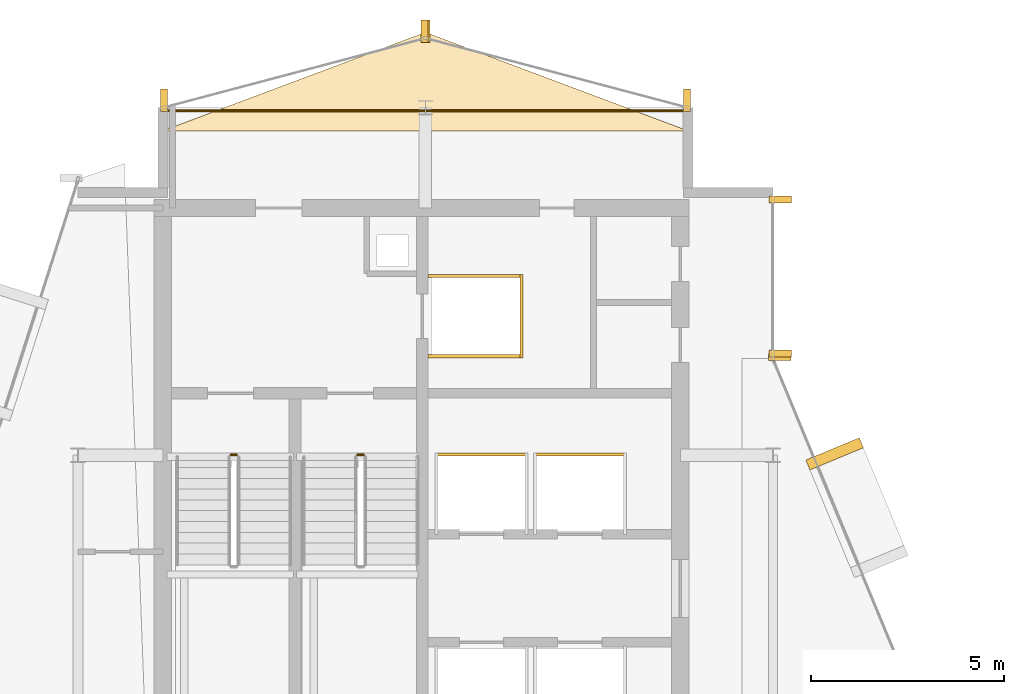
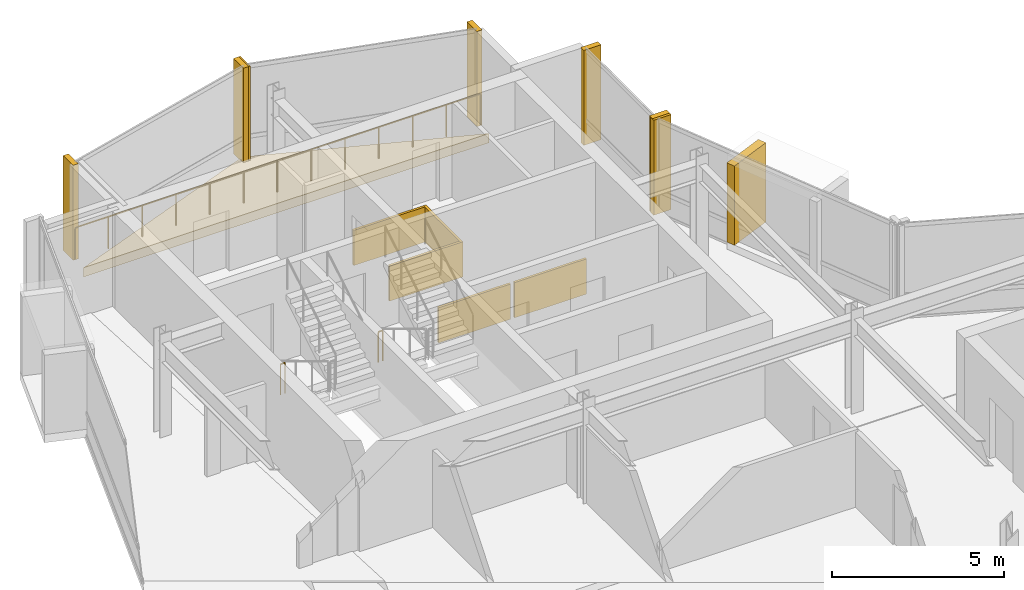
# One storey, part 19 of 19: 14 coverings, 3 railings.
"""IFC4 building model written with IfcOpenShell, lengths in metres."""

from ifc_helpers import new_model, si_unit, direction, frame, origin, origin_2d, place, context, subcontext, project, spatial, polyline, rectangle, circle, outline, extrude, material, layer, layer_set, type_object, element, save


model = new_model("IFC4")

# Units and contexts
model_context = context("Model", 3, precision=1e-05, world=origin(), true_north=direction((0.0, 1.0)))
body_context = subcontext(model_context, "Body", "Model", "MODEL_VIEW")
ifc_project = project(units=[si_unit("LENGTHUNIT", "METRE"), si_unit("AREAUNIT", "SQUARE_METRE"), si_unit("VOLUMEUNIT", "CUBIC_METRE"), si_unit("PLANEANGLEUNIT", "RADIAN"), si_unit("MASSUNIT", "GRAM", prefix="KILO")], contexts=[model_context])

# Site, building, storey
site_placement = place(None, origin())
site = spatial("IfcSite", under=ifc_project, at=site_placement, CompositionType="ELEMENT")
building_placement = place(site_placement, origin())
building = spatial("IfcBuilding", under=site, at=building_placement, Name="Solvaryn Broadcast Tower", CompositionType="ELEMENT")
storey_placement = place(building_placement, frame((0.0, 0.0, 281.5)))
storey = spatial("IfcBuildingStorey", under=building, at=storey_placement, Name="L71", CompositionType="ELEMENT", Elevation=281.5)

# Coverings
ifc_material_1 = material(Name="Fire-Rated Gypsum Shaftwall Liner", Category="concrete")
ifc_layer_1 = layer(ifc_material_1, 0.080078125)
ifc_layer_set_1 = layer_set([ifc_layer_1], Name="CV-SHAFT-LINER")
covering_type_1 = type_object("IfcCoveringType", Name="CV-SHAFT-LINER", PredefinedType="CLADDING", material=ifc_layer_set_1)
for number, where, z_axis, x_axis, name in (
    (1, (19.300048828125, 40.639892578125, 0.0), (0.0, 0.0, 1.0), (1.0, 0.0, 0.0), "L71 FL1 Hoistway Shaft Liner North"),
    (2, (19.300048828125, 38.56005859375, 0.0), (0.0, 0.0, 1.0), (1.0, 0.0, 0.0), "L71 FL1 Hoistway Shaft Liner South"),
):
    element("IfcCovering", number, at=place(storey_placement, frame(where, z_axis=z_axis, x_axis=x_axis)), inside=storey, type_object=covering_type_1, Name=name, PredefinedType="CLADDING", context=body_context, shape_type="SweptSolid", body=[
        extrude(rectangle(XDim=2.4599609375, YDim=0.080078125, at=origin_2d()), origin(), (0.0, 0.0, 1.0), 1.25),
    ])
covering_1_placement = place(storey_placement, frame((20.489990234375, 39.60009765625, 0.0), z_axis=(0.0, 0.0, 1.0), x_axis=(1.0, 0.0, 0.0)))
element("IfcCovering", 3, at=covering_1_placement, inside=storey, type_object=covering_type_1, Name="L71 FL1 Hoistway Shaft Liner East", PredefinedType="CLADDING", context=body_context, shape_type="SweptSolid", body=[
    extrude(rectangle(XDim=0.080078125, YDim=2.159912109375, at=origin_2d()), origin(), (0.0, 0.0, 1.0), 1.25),
])
for number, where, z_axis, x_axis, name in (
    (4, (19.449951171875, 36.014892578125, 0.0), (0.0, 0.0, 1.0), (1.0, 0.0, 0.0), "L71 PH3 Hoistway Shaft Liner North"),
    (5, (22.0, 36.014892578125, 0.0), (0.0, 0.0, 1.0), (1.0, 0.0, 0.0), "L71 PH4 Hoistway Shaft Liner North"),
):
    element("IfcCovering", number, at=place(storey_placement, frame(where, z_axis=z_axis, x_axis=x_axis)), inside=storey, type_object=covering_type_1, Name=name, PredefinedType="CLADDING", context=body_context, shape_type="SweptSolid", body=[
        extrude(rectangle(XDim=2.409912109375, YDim=0.080078125, at=origin_2d()), origin(), (0.0, 0.0, 1.0), 1.25),
    ])
ifc_material_2 = material(Name="Glazed Architectural Terracotta Rainscreen Cladding", Category="masonry")
ifc_layer_2 = layer(ifc_material_2, 0.280029296875)
ifc_layer_set_2 = layer_set([ifc_layer_2], Name="CV-TC-CLAD")
covering_type_2 = type_object("IfcCoveringType", Name="CV-TC-CLAD", PredefinedType="CLADDING", material=ifc_layer_set_2)
covering_2_placement = place(storey_placement, frame((28.59619140625, 36.031982421875, 0.280029296875), z_axis=(0.0, 0.0, 1.0), x_axis=(-0.382683432365, 0.923879532511, 0.0)))
element("IfcCovering", 6, at=covering_2_placement, inside=storey, type_object=covering_type_2, Name="L71 Projecting Stone Window Box Cheek 5-2", PredefinedType="CLADDING", context=body_context, shape_type="SweptSolid", body=[
    extrude(rectangle(XDim=0.280029296875, YDim=1.5, at=origin_2d()), origin(), (0.0, 0.0, 1.0), 2.81005859375),
])
ifc_material_3 = material(Name="Extruded Architectural Terracotta Fin", Category="masonry")
ifc_layer_3 = layer(ifc_material_3, 0.179931640625)
ifc_layer_set_3 = layer_set([ifc_layer_3], Name="CV-TC-FIN")
covering_type_3 = type_object("IfcCoveringType", Name="CV-TC-FIN", PredefinedType="USERDEFINED", material=ifc_layer_set_3)
for number, where, z_axis, x_axis, name in (
    (7, (27.1875, 42.6201171875, 0.0), (0.0, 0.0, 1.0), (1.0, 0.0, 0.0), "L71 Terracotta Vertical Fin FIN-L71-IV-M00"),
    (8, (27.1875, 38.6298828125, 0.0), (0.0, 0.0, 1.0), (1.0, 0.0, 0.0), "L71 Terracotta Vertical Fin FIN-L71-IV-M01"),
    (9, (27.177978515625, 38.541259765625, 0.0), (0.0, 0.0, 1.0), (1.0, 0.0, 0.0), "L71 Terracotta Vertical Fin FIN-L71-CN2-M01"),
):
    element("IfcCovering", number, at=place(storey_placement, frame(where, z_axis=z_axis, x_axis=x_axis)), inside=storey, type_object=covering_type_3, Name=name, ObjectType="FIN", PredefinedType="USERDEFINED", context=body_context, shape_type="SweptSolid", body=[
        extrude(rectangle(XDim=0.580078125, YDim=0.179931640625, at=origin_2d()), origin(), (0.0, 0.0, 1.0), 3.3701171875),
    ])
for number, where, z_axis, x_axis, name in (
    (10, (24.77099609375, 45.1953125, 0.0), (0.0, 0.0, 1.0), (1.0, 0.0, 0.0), "L71 Terracotta Vertical Fin FIN-L71-NT1-M00"),
    (11, (18.029052734375, 46.979736328125, 0.0), (0.0, 0.0, 1.0), (1.0, 0.0, 0.0), "L71 Terracotta Vertical Fin FIN-L71-NT1-M01"),
    (12, (17.970947265625, 46.979736328125, 0.0), (0.0, 0.0, 1.0), (1.0, 0.0, 0.0), "L71 Terracotta Vertical Fin FIN-L71-NT2-M00"),
    (13, (11.22900390625, 45.1953125, 0.0), (0.0, 0.0, 1.0), (1.0, 0.0, 0.0), "L71 Terracotta Vertical Fin FIN-L71-NT2-M01"),
):
    element("IfcCovering", number, at=place(storey_placement, frame(where, z_axis=z_axis, x_axis=x_axis)), inside=storey, type_object=covering_type_3, Name=name, ObjectType="FIN", PredefinedType="USERDEFINED", context=body_context, shape_type="SweptSolid", body=[
        extrude(rectangle(XDim=0.179931640625, YDim=0.580078125, at=origin_2d()), origin(), (0.0, 0.0, 1.0), 3.3701171875),
    ])
ifc_material_4 = material(Name="Sculpted Architectural Terracotta Wave Fascia", Category="masonry")
ifc_layer_4 = layer(ifc_material_4, 0.340087890625)
ifc_layer_set_4 = layer_set([ifc_layer_4], Name="CV-WAVE-TRAY")
covering_type_4 = type_object("IfcCoveringType", Name="CV-WAVE-TRAY", PredefinedType="CLADDING", material=ifc_layer_set_4)
covering_3_placement = place(storey_placement, frame((0.0, 0.0, -0.300048828125)))
element("IfcCovering", 14, at=covering_3_placement, inside=storey, type_object=covering_type_4, Name="L71 North Curved Wing Deck", PredefinedType="CLADDING", context=body_context, shape_type="SweptSolid", body=[
    extrude(outline(polyline([(11.199951171875, 44.39990234375), (24.800048828125, 44.39990234375), (18.0, 46.949951171875), (11.199951171875, 44.39990234375)])), origin(), (0.0, 0.0, 1.0), 0.330078125),
])

# Railings
ifc_material_5 = material(Name="Painted Steel Stair Well Guard", Category="steel")
railing_type_1 = type_object("IfcRailingType", Name="RL-STAIR-GUARD", PredefinedType="BALUSTRADE", material=ifc_material_5)
railing_1_placement = place(storey_placement, frame((12.9599609375, 36.010009765625, 0.0)))
element("IfcRailing", 15, at=railing_1_placement, inside=storey, type_object=railing_type_1, Name="L71 ST1 stair guard 4", PredefinedType="BALUSTRADE", context=body_context, shape_type="SweptSolid", body=[
    extrude(circle(Radius=0.02392578125, at=origin_2d()), frame((0.0, 0.0, 1.076171875), z_axis=(1.0, 0.0, 0.0), x_axis=(0.0, 1.0, 0.0)), (0.0, 0.0, 1.0), 0.150146484375),
    extrude(circle(Radius=0.02099609375, at=origin_2d()), origin(), (0.0, 0.0, 1.0), 1.052001953125),
    extrude(circle(Radius=0.02099609375, at=origin_2d()), frame((0.150146484375, 0.0, 0.0)), (0.0, 0.0, 1.0), 1.052001953125),
])
railing_2_placement = place(storey_placement, frame((16.239990234375, 36.010009765625, 0.0)))
element("IfcRailing", 16, at=railing_2_placement, inside=storey, type_object=railing_type_1, Name="L71 ST2 stair guard 4", PredefinedType="BALUSTRADE", context=body_context, shape_type="SweptSolid", body=[
    extrude(circle(Radius=0.02392578125, at=origin_2d()), frame((0.0, 0.0, 1.076171875), z_axis=(1.0, 0.0, 0.0), x_axis=(0.0, 1.0, 0.0)), (0.0, 0.0, 1.0), 0.14990234375),
    extrude(circle(Radius=0.02099609375, at=origin_2d()), origin(), (0.0, 0.0, 1.0), 1.052001953125),
    extrude(circle(Radius=0.02099609375, at=origin_2d()), frame((0.14990234375, 0.0, 0.0)), (0.0, 0.0, 1.0), 1.052001953125),
])
ifc_material_6 = material(Name="Stainless Steel and Laminated Glass Guard", Category="steel")
railing_type_2 = type_object("IfcRailingType", Name="RL-TER-1150", PredefinedType="BALUSTRADE", material=ifc_material_6)
railing_3_placement = place(storey_placement, frame((11.199951171875, 44.919921875, 0.0)))
element("IfcRailing", 17, at=railing_3_placement, inside=storey, type_object=railing_type_2, Name="L71 North Wing Spandrel Edge Guard", PredefinedType="BALUSTRADE", context=body_context, shape_type="SweptSolid", body=[
    extrude(circle(Radius=0.02392578125, at=origin_2d()), frame((0.0, 0.0, 1.1259765625), z_axis=(1.0, 0.0, 0.0), x_axis=(0.0, 1.0, 0.0)), (0.0, 0.0, 1.0), 13.60009765625),
    extrude(circle(Radius=0.02099609375, at=origin_2d()), origin(), (0.0, 0.0, 1.0), 1.101806640625),
    extrude(circle(Radius=0.02099609375, at=origin_2d()), frame((1.13330078125, 0.0, 0.0)), (0.0, 0.0, 1.0), 1.101806640625),
    extrude(circle(Radius=0.02099609375, at=origin_2d()), frame((2.2666015625, 0.0, 0.0)), (0.0, 0.0, 1.0), 1.101806640625),
    extrude(circle(Radius=0.02099609375, at=origin_2d()), frame((3.39990234375, 0.0, 0.0)), (0.0, 0.0, 1.0), 1.101806640625),
    extrude(circle(Radius=0.02099609375, at=origin_2d()), frame((4.533447265625, 0.0, 0.0)), (0.0, 0.0, 1.0), 1.101806640625),
    extrude(circle(Radius=0.02099609375, at=origin_2d()), frame((5.666748046875, 0.0, 0.0)), (0.0, 0.0, 1.0), 1.101806640625),
    extrude(circle(Radius=0.02099609375, at=origin_2d()), frame((6.800048828125, 0.0, 0.0)), (0.0, 0.0, 1.0), 1.101806640625),
    extrude(circle(Radius=0.02099609375, at=origin_2d()), frame((7.933349609375, 0.0, 0.0)), (0.0, 0.0, 1.0), 1.101806640625),
    extrude(circle(Radius=0.02099609375, at=origin_2d()), frame((9.066650390625, 0.0, 0.0)), (0.0, 0.0, 1.0), 1.101806640625),
    extrude(circle(Radius=0.02099609375, at=origin_2d()), frame((10.2001953125, 0.0, 0.0)), (0.0, 0.0, 1.0), 1.101806640625),
    extrude(circle(Radius=0.02099609375, at=origin_2d()), frame((11.33349609375, 0.0, 0.0)), (0.0, 0.0, 1.0), 1.101806640625),
    extrude(circle(Radius=0.02099609375, at=origin_2d()), frame((12.466796875, 0.0, 0.0)), (0.0, 0.0, 1.0), 1.101806640625),
    extrude(circle(Radius=0.02099609375, at=origin_2d()), frame((13.60009765625, 0.0, 0.0)), (0.0, 0.0, 1.0), 1.101806640625),
])

save(model, "model.ifc")
